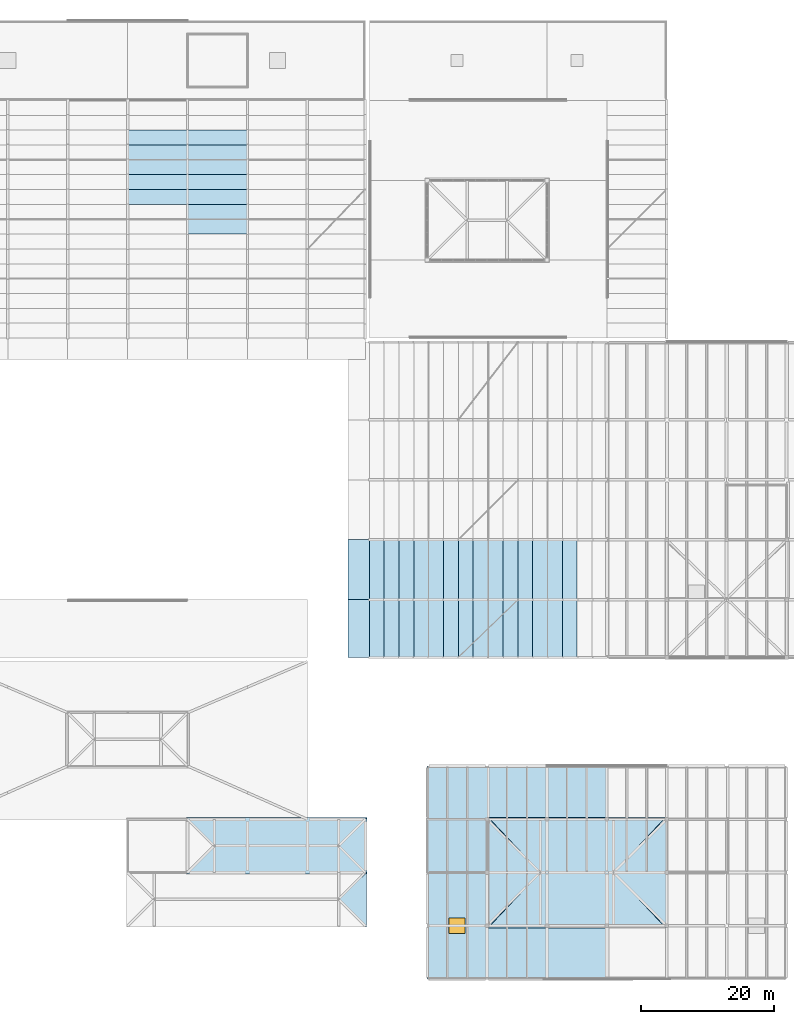
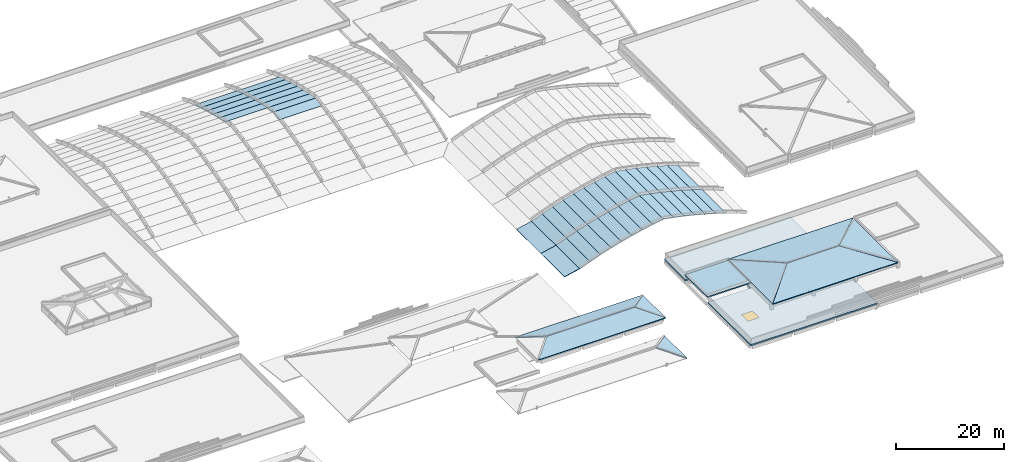
"""IFC4 building model written with IfcOpenShell, lengths in metres."""

from ifc_helpers import new_model, si_unit, direction, frame, origin, origin_2d, place, context, subcontext, project, spatial, polyline, rectangle, outline, extrude, material, layer, layer_set, type_object, element, fill, aggregate, save


model = new_model("IFC4")

# Units and contexts
model_context = context("Model", 3, precision=1e-05, world=origin(), true_north=direction((0.0, 1.0)))
body_context = subcontext(model_context, "Body", "Model", "MODEL_VIEW")
ifc_project = project(units=[si_unit("LENGTHUNIT", "METRE"), si_unit("AREAUNIT", "SQUARE_METRE"), si_unit("VOLUMEUNIT", "CUBIC_METRE"), si_unit("PLANEANGLEUNIT", "RADIAN"), si_unit("MASSUNIT", "GRAM", prefix="KILO")], contexts=[model_context])

# Site, building, storey
site_placement = place(None, origin())
site = spatial("IfcSite", under=ifc_project, at=site_placement, CompositionType="ELEMENT")
building_placement = place(site_placement, origin())
building = spatial("IfcBuilding", under=site, at=building_placement, Name="Zacnel Wholesale Market", CompositionType="ELEMENT")
storey_1_placement = place(building_placement, frame((0.0, 0.0, 20.300048828125)))
storey_1 = spatial("IfcBuildingStorey", under=building, at=storey_1_placement, Name="RF", CompositionType="ELEMENT", Elevation=20.300048828125)

# Slab
ifc_material_1 = material(Name="Precast concrete C45/55", Category="concrete")
ifc_layer_1 = layer(ifc_material_1, 0.239990234375)
ifc_layer_set_1 = layer_set([ifc_layer_1], Name="Precast concrete C45/55")
slab_type_1 = type_object("IfcSlabType", Name="SLB-CORE-RF240", PredefinedType="ROOF", material=ifc_layer_set_1)
slab_1_placement = place(storey_1_placement, frame((0.0, 0.0, 1.010009765625)))
element("IfcSlab", 1, at=slab_1_placement, inside=storey_1, type_object=slab_type_1, Name="Core C1 roof cap slab", PredefinedType="ROOF", context=body_context, shape_type="SweptSolid", body=[
    extrude(outline(polyline([(152.875, 15.875), (162.125, 15.875), (162.125, 24.125), (152.875, 24.125), (152.875, 15.875)])), origin(), (0.0, 0.0, 1.0), 0.239990234375),
])

# Roof, slab
ifc_material_2 = material(Name="Precast concrete C45/55", Category="concrete")
ifc_layer_2 = layer(ifc_material_2, 0.219970703125)
ifc_layer_set_2 = layer_set([ifc_layer_2], Name="Precast concrete C45/55")
roof_type_1 = type_object("IfcRoofType", Name="ROOF-PAVILION-COF", PredefinedType="PAVILION_ROOF", material=ifc_layer_set_2)
roof_1_placement = place(storey_1_placement, origin())
roof_1 = element("IfcRoof", 2, at=roof_1_placement, inside=storey_1, type_object=roof_type_1, Name="Hipped precast roof assembly STR-ROOF-V4E-SOUTH", PredefinedType="PAVILION_ROOF")
ifc_material_3 = material(Name="Precast concrete C45/55", Category="concrete")
ifc_layer_3 = layer(ifc_material_3, 0.260009765625)
ifc_layer_set_3 = layer_set([ifc_layer_3], Name="Precast concrete C45/55")
slab_type_2 = type_object("IfcSlabType", Name="SLB-ROOF-COF-260", PredefinedType="ROOF", material=ifc_layer_set_3)
slab_2_placement = place(storey_1_placement, frame((143.89990234375, 7.800048828125, -4.550048828125), z_axis=(0.295678837886, 0.0, 0.955287404306), x_axis=(0.0, 1.0, 0.0)))
slab_2 = element("IfcSlab", 3, at=slab_2_placement, type_object=slab_type_2, Name="Hipped roof facet STR-ROOF-V4E-SOUTH-E", PredefinedType="ROOF", context=body_context, shape_type="SweptSolid", body=[
    extrude(outline(polyline([(0.0, 0.0), (8.18994140625, 0.0), (4.199951171875, 4.339028770362384), (0.0, 0.0)])), origin(), (0.0, 0.0, -1.0), 0.219970703125),
])
aggregate(roof_1, [slab_2])

# Roof, slabs
roof_2_placement = place(storey_1_placement, origin())
roof_2 = element("IfcRoof", 4, at=roof_2_placement, inside=storey_1, type_object=roof_type_1, Name="Hipped precast roof assembly STR-ROOF-V4E-TOP", PredefinedType="PAVILION_ROOF")
slab_3_placement = place(storey_1_placement, frame((116.75, 15.75, -0.300048828125), z_axis=(0.0, -0.292505539311, 0.956263828382), x_axis=(1.0, 0.0, 0.0)))
slab_3 = element("IfcSlab", 5, at=slab_3_placement, type_object=slab_type_2, Name="Hipped roof facet STR-ROOF-V4E-TOP-S", PredefinedType="ROOF", context=body_context, shape_type="SweptSolid", body=[
    extrude(outline(polyline([(0.0, 0.0), (27.199951171875, 0.0), (23.0048828125, 4.386936151785095), (4.195068359375, 4.386936151785095), (0.0, 0.0)])), origin(), (0.0, 0.0, -1.0), 0.219970703125),
])
slab_4_placement = place(storey_1_placement, frame((143.949951171875, 24.25, -0.300048828125), z_axis=(0.0, 0.292505539311, 0.956263828382), x_axis=(-1.0, 0.0, 0.0)))
slab_4 = element("IfcSlab", 6, at=slab_4_placement, type_object=slab_type_2, Name="Hipped roof facet STR-ROOF-V4E-TOP-N", PredefinedType="ROOF", context=body_context, shape_type="SweptSolid", body=[
    extrude(outline(polyline([(0.0, 0.0), (27.199951171875, 0.0), (23.0048828125, 4.386936151785095), (4.195068359375, 4.386936151785095), (0.0, 0.0)])), origin(), (0.0, 0.0, -1.0), 0.219970703125),
])
slab_5_placement = place(storey_1_placement, frame((143.949951171875, 15.75, -0.300048828125), z_axis=(0.292505539311, 0.0, 0.956263828382), x_axis=(0.0, 1.0, 0.0)))
slab_5 = element("IfcSlab", 7, at=slab_5_placement, type_object=slab_type_2, Name="Hipped roof facet STR-ROOF-V4E-TOP-E", PredefinedType="ROOF", context=body_context, shape_type="SweptSolid", body=[
    extrude(outline(polyline([(0.0, 0.0), (8.5, 0.0), (4.25, 4.386936151785095), (0.0, 0.0)])), origin(), (0.0, 0.0, -1.0), 0.219970703125),
])
aggregate(roof_2, [slab_3, slab_4, slab_5])

# Roof, slab
ifc_material_4 = material(Name="Concrete C40/50", Category="concrete")
ifc_layer_4 = layer(ifc_material_4, 0.110107421875)
ifc_layer_set_4 = layer_set([ifc_layer_4], Name="Concrete C40/50")
roof_type_2 = type_object("IfcRoofType", Name="ROOF-BARREL-36M", PredefinedType="BARREL_ROOF", material=ifc_layer_set_4)
roof_3_placement = place(storey_1_placement, origin())
roof_3 = element("IfcRoof", 8, at=roof_3_placement, inside=storey_1, type_object=roof_type_2, Name="Parabolic barrel-shell roof V1E-01", PredefinedType="BARREL_ROOF")
ifc_material_5 = material(Name="Concrete C40/50", Category="concrete")
ifc_layer_5 = layer(ifc_material_5, 0.1298828125)
ifc_layer_set_5 = layer_set([ifc_layer_5], Name="Concrete C40/50")
slab_type_3 = type_object("IfcSlabType", Name="SLB-ROOF-EAVE-130", PredefinedType="ROOF", material=ifc_layer_set_5)
slab_6_placement = place(storey_1_placement, frame((141.10009765625, 48.300048828125, -9.800048828125), z_axis=(-0.213685764849, 0.0, 0.976902448508), x_axis=(0.0, 1.0, 0.0)))
slab_6 = element("IfcSlab", 9, at=slab_6_placement, type_object=slab_type_3, Name="Storm eave shell leaf V1E-01", PredefinedType="ROOF", context=body_context, shape_type="SweptSolid", body=[
    extrude(outline(polyline([(0.0, 0.0), (8.699951171875, 0.0), (8.699951171875, -3.275609736429749), (0.0, -3.275609736429749), (0.0, 0.0)])), origin(), (0.0, 0.0, -1.0), 0.1298828125),
])

roof_4_placement = place(storey_1_placement, origin())
roof_4 = element("IfcRoof", 10, at=roof_4_placement, inside=storey_1, type_object=roof_type_2, Name="Parabolic barrel-shell roof V1E-02", PredefinedType="BARREL_ROOF")
slab_7_placement = place(storey_1_placement, frame((141.10009765625, 57.0, -9.800048828125), z_axis=(-0.213685764849, 0.0, 0.976902448508), x_axis=(0.0, 1.0, 0.0)))
slab_7 = element("IfcSlab", 11, at=slab_7_placement, type_object=slab_type_3, Name="Storm eave shell leaf V1E-02", PredefinedType="ROOF", context=body_context, shape_type="SweptSolid", body=[
    extrude(outline(polyline([(0.0, 0.0), (9.0, 0.0), (9.0, -3.2756097364297494), (0.0, -3.2756097364297494), (0.0, 0.0)])), origin(), (0.0, 0.0, -1.0), 0.1298828125),
])

# Roof, slabs
roof_5_placement = place(storey_1_placement, origin())
roof_5 = element("IfcRoof", 12, at=roof_5_placement, inside=storey_1, type_object=roof_type_1, Name="Hipped precast roof assembly STR-ROOF-V5ZIG", PredefinedType="PAVILION_ROOF")
ifc_material_6 = material(Name="Precast concrete C45/55", Category="concrete")
ifc_layer_6 = layer(ifc_material_6, 0.219970703125)
ifc_layer_set_6 = layer_set([ifc_layer_6], Name="Precast concrete C45/55")
slab_type_4 = type_object("IfcSlabType", Name="SLB-ROOF-LAN-220", PredefinedType="ROOF", material=ifc_layer_set_6)
slab_8_placement = place(storey_1_placement, frame((162.139892578125, 7.699951171875, 1.349853515625), z_axis=(0.0, -0.17209447619, 0.985080449133), x_axis=(1.0, 0.0, 0.0)))
slab_8 = element("IfcSlab", 13, at=slab_8_placement, type_object=slab_type_4, Name="Hipped roof facet STR-ROOF-V5ZIG-S", PredefinedType="ROOF", context=body_context, shape_type="SweptSolid", body=[
    extrude(outline(polyline([(0.0, 0.0), (26.72021484375, 0.0), (18.9150390625, 8.369993734778973), (7.80517578125, 8.369993734778973), (0.0, 0.0)])), origin(), (0.0, 0.0, -1.0), 0.219970703125),
])
slab_9_placement = place(storey_1_placement, frame((188.860107421875, 24.300048828125, 1.349853515625), z_axis=(0.0, 0.17209447619, 0.985080449133), x_axis=(-1.0, 0.0, 0.0)))
slab_9 = element("IfcSlab", 14, at=slab_9_placement, type_object=slab_type_4, Name="Hipped roof facet STR-ROOF-V5ZIG-N", PredefinedType="ROOF", context=body_context, shape_type="SweptSolid", body=[
    extrude(outline(polyline([(0.0, 0.0), (26.72021484375, 0.0), (18.9150390625, 8.369993734778973), (7.80517578125, 8.369993734778973), (0.0, 0.0)])), origin(), (0.0, 0.0, -1.0), 0.219970703125),
])
slab_10_placement = place(storey_1_placement, frame((162.139892578125, 24.300048828125, 1.349853515625), z_axis=(-0.181423916047, 0.0, 0.983404984066), x_axis=(0.0, -1.0, 0.0)))
slab_10 = element("IfcSlab", 15, at=slab_10_placement, type_object=slab_type_4, Name="Hipped roof facet STR-ROOF-V5ZIG-W", PredefinedType="ROOF", context=body_context, shape_type="SweptSolid", body=[
    extrude(outline(polyline([(0.0, 0.0), (16.60009765625, 0.0), (8.300048828125, 7.936888573593861), (0.0, 0.0)])), origin(), (0.0, 0.0, -1.0), 0.219970703125),
])
slab_11_placement = place(storey_1_placement, frame((188.860107421875, 7.699951171875, 1.349853515625), z_axis=(0.181423916047, 0.0, 0.983404984066), x_axis=(0.0, 1.0, 0.0)))
slab_11 = element("IfcSlab", 16, at=slab_11_placement, type_object=slab_type_4, Name="Hipped roof facet STR-ROOF-V5ZIG-E", PredefinedType="ROOF", context=body_context, shape_type="SweptSolid", body=[
    extrude(outline(polyline([(0.0, 0.0), (16.60009765625, 0.0), (8.300048828125, 7.936888573593861), (0.0, 0.0)])), origin(), (0.0, 0.0, -1.0), 0.219970703125),
])
aggregate(roof_5, [slab_8, slab_9, slab_10, slab_11])

roof_6_placement = place(storey_1_placement, origin())
roof_6 = element("IfcRoof", 17, at=roof_6_placement, inside=storey_1, type_object=roof_type_2, Name="Parabolic barrel-shell roof V1N-W-05", PredefinedType="BARREL_ROOF")
ifc_material_7 = material(Name="Concrete C40/50", Category="concrete")
ifc_layer_7 = layer(ifc_material_7, 0.110107421875)
ifc_layer_set_7 = layer_set([ifc_layer_7], Name="Concrete C40/50")
slab_type_5 = type_object("IfcSlabType", Name="SLB-ROOF-SHELL-110", PredefinedType="ROOF", material=ifc_layer_set_7)
slab_12_placement = place(storey_1_placement, frame((108.0, 116.381103515625, -4.5), z_axis=(0.0, 0.201882701177, 0.979409707408), x_axis=(1.0, 0.0, 0.0)))
slab_12 = element("IfcSlab", 18, at=slab_12_placement, type_object=slab_type_5, Name="Barrel-shell facet V1N-W-05-F10", PredefinedType="ROOF", context=body_context, shape_type="SweptSolid", body=[
    extrude(outline(polyline([(0.0, 0.0), (9.0, 0.0), (9.0, 2.2783573571115006), (0.0, 2.2783573571115006), (0.0, 0.0)])), origin(), (0.0, 0.0, -1.0), 0.110107421875),
])
slab_13_placement = place(storey_1_placement, frame((108.0, 118.612548828125, -4.9599609375), z_axis=(0.0, 0.226983688872, 0.973898559906), x_axis=(1.0, 0.0, 0.0)))
slab_13 = element("IfcSlab", 19, at=slab_13_placement, type_object=slab_type_5, Name="Barrel-shell facet V1N-W-05-F11", PredefinedType="ROOF", context=body_context, shape_type="SweptSolid", body=[
    extrude(outline(polyline([(0.0, 0.0), (9.0, 0.0), (9.0, 2.2909995596371995), (0.0, 2.2909995596371995), (0.0, 0.0)])), origin(), (0.0, 0.0, -1.0), 0.110107421875),
])
slab_14_placement = place(storey_1_placement, frame((108.0, 120.84375, -5.47998046875), z_axis=(0.0, 0.251619964429, 0.967826117389), x_axis=(1.0, 0.0, 0.0)))
slab_14 = element("IfcSlab", 20, at=slab_14_placement, type_object=slab_type_5, Name="Barrel-shell facet V1N-W-05-F12", PredefinedType="ROOF", context=body_context, shape_type="SweptSolid", body=[
    extrude(outline(polyline([(0.0, 0.0), (9.0, 0.0), (9.0, 2.305374004468665), (0.0, 2.305374004468665), (0.0, 0.0)])), origin(), (0.0, 0.0, -1.0), 0.110107421875),
])
slab_15_placement = place(storey_1_placement, frame((108.0, 123.074951171875, -6.06005859375), z_axis=(0.0, 0.275651658171, 0.961257594689), x_axis=(1.0, 0.0, 0.0)))
slab_15 = element("IfcSlab", 21, at=slab_15_placement, type_object=slab_type_5, Name="Barrel-shell facet V1N-W-05-F13", PredefinedType="ROOF", context=body_context, shape_type="SweptSolid", body=[
    extrude(outline(polyline([(0.0, 0.0), (9.0, 0.0), (9.0, 2.3213812039856103), (0.0, 2.3213812039856103), (0.0, 0.0)])), origin(), (0.0, 0.0, -1.0), 0.110107421875),
])
slab_16_placement = place(storey_1_placement, frame((108.0, 125.306396484375, -6.699951171875), z_axis=(0.0, 0.307185321823, 0.951649713947), x_axis=(1.0, 0.0, 0.0)))
slab_16 = element("IfcSlab", 22, at=slab_16_placement, type_object=slab_type_5, Name="Barrel-shell facet V1N-W-05-F14", PredefinedType="ROOF", context=body_context, shape_type="SweptSolid", body=[
    extrude(outline(polyline([(0.0, 0.0), (9.0, 0.0), (9.0, 2.3445613855333813), (0.0, 2.3445613855333813), (0.0, 0.0)])), origin(), (0.0, 0.0, -1.0), 0.110107421875),
])
aggregate(roof_6, [slab_12, slab_13, slab_14, slab_15, slab_16])

roof_7_placement = place(storey_1_placement, origin())
roof_7 = element("IfcRoof", 23, at=roof_7_placement, inside=storey_1, type_object=roof_type_2, Name="Parabolic barrel-shell roof V1N-W-06", PredefinedType="BARREL_ROOF")
slab_17_placement = place(storey_1_placement, frame((117.0, 111.918701171875, -4.5), z_axis=(0.0, -0.176420589484, 0.984314876249), x_axis=(1.0, 0.0, 0.0)))
slab_17 = element("IfcSlab", 24, at=slab_17_placement, type_object=slab_type_5, Name="Barrel-shell facet V1N-W-06-F08", PredefinedType="ROOF", context=body_context, shape_type="SweptSolid", body=[
    extrude(outline(polyline([(0.0, 0.0), (9.0, 0.0), (9.0, 2.266755512602344), (0.0, 2.266755512602344), (0.0, 0.0)])), origin(), (0.0, 0.0, -1.0), 0.110107421875),
])
slab_18_placement = place(storey_1_placement, frame((117.0, 114.14990234375, -4.10009765625), z_axis=(0.0, 0.176420589484, 0.984314876249), x_axis=(1.0, 0.0, 0.0)))
slab_18 = element("IfcSlab", 25, at=slab_18_placement, type_object=slab_type_5, Name="Barrel-shell facet V1N-W-06-F09", PredefinedType="ROOF", context=body_context, shape_type="SweptSolid", body=[
    extrude(outline(polyline([(0.0, 0.0), (9.0, 0.0), (9.0, 2.266755512602344), (0.0, 2.266755512602344), (0.0, 0.0)])), origin(), (0.0, 0.0, -1.0), 0.110107421875),
])
slab_19_placement = place(storey_1_placement, frame((117.0, 116.381103515625, -4.5), z_axis=(0.0, 0.201882701177, 0.979409707408), x_axis=(1.0, 0.0, 0.0)))
slab_19 = element("IfcSlab", 26, at=slab_19_placement, type_object=slab_type_5, Name="Barrel-shell facet V1N-W-06-F10", PredefinedType="ROOF", context=body_context, shape_type="SweptSolid", body=[
    extrude(outline(polyline([(0.0, 0.0), (9.0, 0.0), (9.0, 2.2783573571115006), (0.0, 2.2783573571115006), (0.0, 0.0)])), origin(), (0.0, 0.0, -1.0), 0.110107421875),
])
slab_20_placement = place(storey_1_placement, frame((117.0, 118.612548828125, -4.9599609375), z_axis=(0.0, 0.226983688872, 0.973898559906), x_axis=(1.0, 0.0, 0.0)))
slab_20 = element("IfcSlab", 27, at=slab_20_placement, type_object=slab_type_5, Name="Barrel-shell facet V1N-W-06-F11", PredefinedType="ROOF", context=body_context, shape_type="SweptSolid", body=[
    extrude(outline(polyline([(0.0, 0.0), (9.0, 0.0), (9.0, 2.2909995596371995), (0.0, 2.2909995596371995), (0.0, 0.0)])), origin(), (0.0, 0.0, -1.0), 0.110107421875),
])
slab_21_placement = place(storey_1_placement, frame((117.0, 120.84375, -5.47998046875), z_axis=(0.0, 0.251619964429, 0.967826117389), x_axis=(1.0, 0.0, 0.0)))
slab_21 = element("IfcSlab", 28, at=slab_21_placement, type_object=slab_type_5, Name="Barrel-shell facet V1N-W-06-F12", PredefinedType="ROOF", context=body_context, shape_type="SweptSolid", body=[
    extrude(outline(polyline([(0.0, 0.0), (9.0, 0.0), (9.0, 2.305374004468665), (0.0, 2.305374004468665), (0.0, 0.0)])), origin(), (0.0, 0.0, -1.0), 0.110107421875),
])
slab_22_placement = place(storey_1_placement, frame((117.0, 123.074951171875, -6.06005859375), z_axis=(0.0, 0.275651658171, 0.961257594689), x_axis=(1.0, 0.0, 0.0)))
slab_22 = element("IfcSlab", 29, at=slab_22_placement, type_object=slab_type_5, Name="Barrel-shell facet V1N-W-06-F13", PredefinedType="ROOF", context=body_context, shape_type="SweptSolid", body=[
    extrude(outline(polyline([(0.0, 0.0), (9.0, 0.0), (9.0, 2.3213812039856103), (0.0, 2.3213812039856103), (0.0, 0.0)])), origin(), (0.0, 0.0, -1.0), 0.110107421875),
])
slab_23_placement = place(storey_1_placement, frame((117.0, 125.306396484375, -6.699951171875), z_axis=(0.0, 0.307185321823, 0.951649713947), x_axis=(1.0, 0.0, 0.0)))
slab_23 = element("IfcSlab", 30, at=slab_23_placement, type_object=slab_type_5, Name="Barrel-shell facet V1N-W-06-F14", PredefinedType="ROOF", context=body_context, shape_type="SweptSolid", body=[
    extrude(outline(polyline([(0.0, 0.0), (9.0, 0.0), (9.0, 2.3445613855333813), (0.0, 2.3445613855333813), (0.0, 0.0)])), origin(), (0.0, 0.0, -1.0), 0.110107421875),
])
aggregate(roof_7, [slab_17, slab_18, slab_19, slab_20, slab_21, slab_22, slab_23])

# Slab
slab_24_placement = place(storey_1_placement, frame((144.300048828125, 48.300048828125, -9.10009765625), z_axis=(-0.366946359501, 0.0, 0.930242102492), x_axis=(0.0, 1.0, 0.0)))
slab_24 = element("IfcSlab", 31, at=slab_24_placement, type_object=slab_type_5, Name="Barrel-shell facet V1E-01-F01", PredefinedType="ROOF", context=body_context, shape_type="SweptSolid", body=[
    extrude(outline(polyline([(0.0, 0.0), (8.699951171875, 0.0), (8.699951171875, -2.3985166505558118), (0.0, -2.3985166505558118), (0.0, 0.0)])), origin(), (0.0, 0.0, -1.0), 0.110107421875),
])

slab_25_placement = place(storey_1_placement, frame((146.53125, 48.300048828125, -8.219970703125), z_axis=(-0.337438907944, 0.0, 0.941347429701), x_axis=(0.0, 1.0, 0.0)))
slab_25 = element("IfcSlab", 32, at=slab_25_placement, type_object=slab_type_5, Name="Barrel-shell facet V1E-01-F02", PredefinedType="ROOF", context=body_context, shape_type="SweptSolid", body=[
    extrude(outline(polyline([(0.0, 0.0), (8.699951171875, 0.0), (8.699951171875, -2.370220708609927), (0.0, -2.370220708609927), (0.0, 0.0)])), origin(), (0.0, 0.0, -1.0), 0.110107421875),
])

slab_26_placement = place(storey_1_placement, frame((148.762451171875, 48.300048828125, -7.420166015625), z_axis=(-0.307154883885, 0.0, 0.951659538546), x_axis=(0.0, 1.0, 0.0)))
slab_26 = element("IfcSlab", 33, at=slab_26_placement, type_object=slab_type_5, Name="Barrel-shell facet V1E-01-F03", PredefinedType="ROOF", context=body_context, shape_type="SweptSolid", body=[
    extrude(outline(polyline([(0.0, 0.0), (8.699951171875, 0.0), (8.699951171875, -2.344793723088677), (0.0, -2.344793723088677), (0.0, 0.0)])), origin(), (0.0, 0.0, -1.0), 0.110107421875),
])

slab_27_placement = place(storey_1_placement, frame((150.993896484375, 48.300048828125, -6.699951171875), z_axis=(-0.275679528114, 0.0, 0.961249602226), x_axis=(0.0, 1.0, 0.0)))
slab_27 = element("IfcSlab", 34, at=slab_27_placement, type_object=slab_type_5, Name="Barrel-shell facet V1E-01-F04", PredefinedType="ROOF", context=body_context, shape_type="SweptSolid", body=[
    extrude(outline(polyline([(0.0, 0.0), (8.699951171875, 0.0), (8.699951171875, -2.3211465229312505), (0.0, -2.3211465229312505), (0.0, 0.0)])), origin(), (0.0, 0.0, -1.0), 0.110107421875),
])

slab_28_placement = place(storey_1_placement, frame((153.22509765625, 48.300048828125, -6.06005859375), z_axis=(-0.251619964429, 0.0, 0.967826117389), x_axis=(0.0, 1.0, 0.0)))
slab_28 = element("IfcSlab", 35, at=slab_28_placement, type_object=slab_type_5, Name="Barrel-shell facet V1E-01-F05", PredefinedType="ROOF", context=body_context, shape_type="SweptSolid", body=[
    extrude(outline(polyline([(0.0, 0.0), (8.699951171875, 0.0), (8.699951171875, -2.3053740044686655), (0.0, -2.3053740044686655), (0.0, 0.0)])), origin(), (0.0, 0.0, -1.0), 0.110107421875),
])

slab_29_placement = place(storey_1_placement, frame((155.456298828125, 48.300048828125, -5.47998046875), z_axis=(-0.226983688872, 0.0, 0.973898559906), x_axis=(0.0, 1.0, 0.0)))
slab_29 = element("IfcSlab", 36, at=slab_29_placement, type_object=slab_type_5, Name="Barrel-shell facet V1E-01-F06", PredefinedType="ROOF", context=body_context, shape_type="SweptSolid", body=[
    extrude(outline(polyline([(0.0, 0.0), (8.699951171875, 0.0), (8.699951171875, -2.2909995596371995), (0.0, -2.2909995596371995), (0.0, 0.0)])), origin(), (0.0, 0.0, -1.0), 0.110107421875),
])

slab_30_placement = place(storey_1_placement, frame((157.6875, 48.300048828125, -4.9599609375), z_axis=(-0.201903890951, 0.0, 0.979405339386), x_axis=(0.0, 1.0, 0.0)))
slab_30 = element("IfcSlab", 37, at=slab_30_placement, type_object=slab_type_5, Name="Barrel-shell facet V1E-01-F07", PredefinedType="ROOF", context=body_context, shape_type="SweptSolid", body=[
    extrude(outline(polyline([(0.0, 0.0), (8.699951171875, 0.0), (8.699951171875, -2.2781182439465804), (0.0, -2.2781182439465804), (0.0, 0.0)])), origin(), (0.0, 0.0, -1.0), 0.110107421875),
])

slab_31_placement = place(storey_1_placement, frame((159.918701171875, 48.300048828125, -4.5), z_axis=(-0.176420589484, 0.0, 0.984314876249), x_axis=(0.0, 1.0, 0.0)))
slab_31 = element("IfcSlab", 38, at=slab_31_placement, type_object=slab_type_5, Name="Barrel-shell facet V1E-01-F08", PredefinedType="ROOF", context=body_context, shape_type="SweptSolid", body=[
    extrude(outline(polyline([(0.0, 0.0), (8.699951171875, 0.0), (8.699951171875, -2.266755512602344), (0.0, -2.266755512602344), (0.0, 0.0)])), origin(), (0.0, 0.0, -1.0), 0.110107421875),
])

slab_32_placement = place(storey_1_placement, frame((162.14990234375, 48.300048828125, -4.10009765625), z_axis=(0.176420589484, 0.0, 0.984314876249), x_axis=(0.0, 1.0, 0.0)))
slab_32 = element("IfcSlab", 39, at=slab_32_placement, type_object=slab_type_5, Name="Barrel-shell facet V1E-01-F09", PredefinedType="ROOF", context=body_context, shape_type="SweptSolid", body=[
    extrude(outline(polyline([(0.0, 0.0), (8.699951171875, 0.0), (8.699951171875, -2.266755512602344), (0.0, -2.266755512602344), (0.0, 0.0)])), origin(), (0.0, 0.0, -1.0), 0.110107421875),
])

slab_33_placement = place(storey_1_placement, frame((164.381103515625, 48.300048828125, -4.5), z_axis=(0.201882701177, 0.0, 0.979409707408), x_axis=(0.0, 1.0, 0.0)))
slab_33 = element("IfcSlab", 40, at=slab_33_placement, type_object=slab_type_5, Name="Barrel-shell facet V1E-01-F10", PredefinedType="ROOF", context=body_context, shape_type="SweptSolid", body=[
    extrude(outline(polyline([(0.0, 0.0), (8.699951171875, 0.0), (8.699951171875, -2.2783573571115006), (0.0, -2.2783573571115006), (0.0, 0.0)])), origin(), (0.0, 0.0, -1.0), 0.110107421875),
])

slab_34_placement = place(storey_1_placement, frame((166.612548828125, 48.300048828125, -4.9599609375), z_axis=(0.226983688872, 0.0, 0.973898559906), x_axis=(0.0, 1.0, 0.0)))
slab_34 = element("IfcSlab", 41, at=slab_34_placement, type_object=slab_type_5, Name="Barrel-shell facet V1E-01-F11", PredefinedType="ROOF", context=body_context, shape_type="SweptSolid", body=[
    extrude(outline(polyline([(0.0, 0.0), (8.699951171875, 0.0), (8.699951171875, -2.2909995596371995), (0.0, -2.2909995596371995), (0.0, 0.0)])), origin(), (0.0, 0.0, -1.0), 0.110107421875),
])

slab_35_placement = place(storey_1_placement, frame((168.84375, 48.300048828125, -5.47998046875), z_axis=(0.251619964429, 0.0, 0.967826117389), x_axis=(0.0, 1.0, 0.0)))
slab_35 = element("IfcSlab", 42, at=slab_35_placement, type_object=slab_type_5, Name="Barrel-shell facet V1E-01-F12", PredefinedType="ROOF", context=body_context, shape_type="SweptSolid", body=[
    extrude(outline(polyline([(0.0, 0.0), (8.699951171875, 0.0), (8.699951171875, -2.3053740044686655), (0.0, -2.3053740044686655), (0.0, 0.0)])), origin(), (0.0, 0.0, -1.0), 0.110107421875),
])

slab_36_placement = place(storey_1_placement, frame((171.074951171875, 48.300048828125, -6.06005859375), z_axis=(0.275651658171, 0.0, 0.961257594689), x_axis=(0.0, 1.0, 0.0)))
slab_36 = element("IfcSlab", 43, at=slab_36_placement, type_object=slab_type_5, Name="Barrel-shell facet V1E-01-F13", PredefinedType="ROOF", context=body_context, shape_type="SweptSolid", body=[
    extrude(outline(polyline([(0.0, 0.0), (8.699951171875, 0.0), (8.699951171875, -2.3213812039856103), (0.0, -2.3213812039856103), (0.0, 0.0)])), origin(), (0.0, 0.0, -1.0), 0.110107421875),
])

slab_37_placement = place(storey_1_placement, frame((173.306396484375, 48.300048828125, -6.699951171875), z_axis=(0.307185321823, 0.0, 0.951649713947), x_axis=(0.0, 1.0, 0.0)))
slab_37 = element("IfcSlab", 44, at=slab_37_placement, type_object=slab_type_5, Name="Barrel-shell facet V1E-01-F14", PredefinedType="ROOF", context=body_context, shape_type="SweptSolid", body=[
    extrude(outline(polyline([(0.0, 0.0), (8.699951171875, 0.0), (8.699951171875, -2.344561385533382), (0.0, -2.344561385533382), (0.0, 0.0)])), origin(), (0.0, 0.0, -1.0), 0.110107421875),
])

aggregate(roof_3, [slab_24, slab_25, slab_26, slab_27, slab_28, slab_29, slab_30, slab_31, slab_32, slab_33, slab_34, slab_35, slab_36, slab_37, slab_6])

slab_38_placement = place(storey_1_placement, frame((144.300048828125, 57.0, -9.10009765625), z_axis=(-0.366946359501, 0.0, 0.930242102492), x_axis=(0.0, 1.0, 0.0)))
slab_38 = element("IfcSlab", 45, at=slab_38_placement, type_object=slab_type_5, Name="Barrel-shell facet V1E-02-F01", PredefinedType="ROOF", context=body_context, shape_type="SweptSolid", body=[
    extrude(outline(polyline([(0.0, 0.0), (9.0, 0.0), (9.0, -2.3985166505558118), (0.0, -2.3985166505558118), (0.0, 0.0)])), origin(), (0.0, 0.0, -1.0), 0.110107421875),
])

slab_39_placement = place(storey_1_placement, frame((146.53125, 57.0, -8.219970703125), z_axis=(-0.337438907944, 0.0, 0.941347429701), x_axis=(0.0, 1.0, 0.0)))
slab_39 = element("IfcSlab", 46, at=slab_39_placement, type_object=slab_type_5, Name="Barrel-shell facet V1E-02-F02", PredefinedType="ROOF", context=body_context, shape_type="SweptSolid", body=[
    extrude(outline(polyline([(0.0, 0.0), (9.0, 0.0), (9.0, -2.370220708609927), (0.0, -2.370220708609927), (0.0, 0.0)])), origin(), (0.0, 0.0, -1.0), 0.110107421875),
])

slab_40_placement = place(storey_1_placement, frame((148.762451171875, 57.0, -7.420166015625), z_axis=(-0.307154883885, 0.0, 0.951659538546), x_axis=(0.0, 1.0, 0.0)))
slab_40 = element("IfcSlab", 47, at=slab_40_placement, type_object=slab_type_5, Name="Barrel-shell facet V1E-02-F03", PredefinedType="ROOF", context=body_context, shape_type="SweptSolid", body=[
    extrude(outline(polyline([(0.0, 0.0), (9.0, 0.0), (9.0, -2.344793723088677), (0.0, -2.344793723088677), (0.0, 0.0)])), origin(), (0.0, 0.0, -1.0), 0.110107421875),
])

slab_41_placement = place(storey_1_placement, frame((150.993896484375, 57.0, -6.699951171875), z_axis=(-0.275679528114, 0.0, 0.961249602226), x_axis=(0.0, 1.0, 0.0)))
slab_41 = element("IfcSlab", 48, at=slab_41_placement, type_object=slab_type_5, Name="Barrel-shell facet V1E-02-F04", PredefinedType="ROOF", context=body_context, shape_type="SweptSolid", body=[
    extrude(outline(polyline([(0.0, 0.0), (9.0, 0.0), (9.0, -2.3211465229312505), (0.0, -2.3211465229312505), (0.0, 0.0)])), origin(), (0.0, 0.0, -1.0), 0.110107421875),
])

slab_42_placement = place(storey_1_placement, frame((153.22509765625, 57.0, -6.06005859375), z_axis=(-0.251619964429, 0.0, 0.967826117389), x_axis=(0.0, 1.0, 0.0)))
slab_42 = element("IfcSlab", 49, at=slab_42_placement, type_object=slab_type_5, Name="Barrel-shell facet V1E-02-F05", PredefinedType="ROOF", context=body_context, shape_type="SweptSolid", body=[
    extrude(outline(polyline([(0.0, 0.0), (9.0, 0.0), (9.0, -2.305374004468665), (0.0, -2.305374004468665), (0.0, 0.0)])), origin(), (0.0, 0.0, -1.0), 0.110107421875),
])

slab_43_placement = place(storey_1_placement, frame((155.456298828125, 57.0, -5.47998046875), z_axis=(-0.226983688872, 0.0, 0.973898559906), x_axis=(0.0, 1.0, 0.0)))
slab_43 = element("IfcSlab", 50, at=slab_43_placement, type_object=slab_type_5, Name="Barrel-shell facet V1E-02-F06", PredefinedType="ROOF", context=body_context, shape_type="SweptSolid", body=[
    extrude(outline(polyline([(0.0, 0.0), (9.0, 0.0), (9.0, -2.2909995596371995), (0.0, -2.2909995596371995), (0.0, 0.0)])), origin(), (0.0, 0.0, -1.0), 0.110107421875),
])

slab_44_placement = place(storey_1_placement, frame((157.6875, 57.0, -4.9599609375), z_axis=(-0.201903890951, 0.0, 0.979405339386), x_axis=(0.0, 1.0, 0.0)))
slab_44 = element("IfcSlab", 51, at=slab_44_placement, type_object=slab_type_5, Name="Barrel-shell facet V1E-02-F07", PredefinedType="ROOF", context=body_context, shape_type="SweptSolid", body=[
    extrude(outline(polyline([(0.0, 0.0), (9.0, 0.0), (9.0, -2.2781182439465804), (0.0, -2.2781182439465804), (0.0, 0.0)])), origin(), (0.0, 0.0, -1.0), 0.110107421875),
])

slab_45_placement = place(storey_1_placement, frame((159.918701171875, 57.0, -4.5), z_axis=(-0.176420589484, 0.0, 0.984314876249), x_axis=(0.0, 1.0, 0.0)))
slab_45 = element("IfcSlab", 52, at=slab_45_placement, type_object=slab_type_5, Name="Barrel-shell facet V1E-02-F08", PredefinedType="ROOF", context=body_context, shape_type="SweptSolid", body=[
    extrude(outline(polyline([(0.0, 0.0), (9.0, 0.0), (9.0, -2.266755512602344), (0.0, -2.266755512602344), (0.0, 0.0)])), origin(), (0.0, 0.0, -1.0), 0.110107421875),
])

slab_46_placement = place(storey_1_placement, frame((162.14990234375, 57.0, -4.10009765625), z_axis=(0.176420589484, 0.0, 0.984314876249), x_axis=(0.0, 1.0, 0.0)))
slab_46 = element("IfcSlab", 53, at=slab_46_placement, type_object=slab_type_5, Name="Barrel-shell facet V1E-02-F09", PredefinedType="ROOF", context=body_context, shape_type="SweptSolid", body=[
    extrude(outline(polyline([(0.0, 0.0), (9.0, 0.0), (9.0, -2.266755512602344), (0.0, -2.266755512602344), (0.0, 0.0)])), origin(), (0.0, 0.0, -1.0), 0.110107421875),
])

slab_47_placement = place(storey_1_placement, frame((164.381103515625, 57.0, -4.5), z_axis=(0.201882701177, 0.0, 0.979409707408), x_axis=(0.0, 1.0, 0.0)))
slab_47 = element("IfcSlab", 54, at=slab_47_placement, type_object=slab_type_5, Name="Barrel-shell facet V1E-02-F10", PredefinedType="ROOF", context=body_context, shape_type="SweptSolid", body=[
    extrude(outline(polyline([(0.0, 0.0), (9.0, 0.0), (9.0, -2.2783573571115006), (0.0, -2.2783573571115006), (0.0, 0.0)])), origin(), (0.0, 0.0, -1.0), 0.110107421875),
])

slab_48_placement = place(storey_1_placement, frame((166.612548828125, 57.0, -4.9599609375), z_axis=(0.226983688872, 0.0, 0.973898559906), x_axis=(0.0, 1.0, 0.0)))
slab_48 = element("IfcSlab", 55, at=slab_48_placement, type_object=slab_type_5, Name="Barrel-shell facet V1E-02-F11", PredefinedType="ROOF", context=body_context, shape_type="SweptSolid", body=[
    extrude(outline(polyline([(0.0, 0.0), (9.0, 0.0), (9.0, -2.2909995596371995), (0.0, -2.2909995596371995), (0.0, 0.0)])), origin(), (0.0, 0.0, -1.0), 0.110107421875),
])

slab_49_placement = place(storey_1_placement, frame((168.84375, 57.0, -5.47998046875), z_axis=(0.251619964429, 0.0, 0.967826117389), x_axis=(0.0, 1.0, 0.0)))
slab_49 = element("IfcSlab", 56, at=slab_49_placement, type_object=slab_type_5, Name="Barrel-shell facet V1E-02-F12", PredefinedType="ROOF", context=body_context, shape_type="SweptSolid", body=[
    extrude(outline(polyline([(0.0, 0.0), (9.0, 0.0), (9.0, -2.305374004468665), (0.0, -2.305374004468665), (0.0, 0.0)])), origin(), (0.0, 0.0, -1.0), 0.110107421875),
])

slab_50_placement = place(storey_1_placement, frame((171.074951171875, 57.0, -6.06005859375), z_axis=(0.275651658171, 0.0, 0.961257594689), x_axis=(0.0, 1.0, 0.0)))
slab_50 = element("IfcSlab", 57, at=slab_50_placement, type_object=slab_type_5, Name="Barrel-shell facet V1E-02-F13", PredefinedType="ROOF", context=body_context, shape_type="SweptSolid", body=[
    extrude(outline(polyline([(0.0, 0.0), (9.0, 0.0), (9.0, -2.3213812039856103), (0.0, -2.3213812039856103), (0.0, 0.0)])), origin(), (0.0, 0.0, -1.0), 0.110107421875),
])

slab_51_placement = place(storey_1_placement, frame((173.306396484375, 57.0, -6.699951171875), z_axis=(0.307185321823, 0.0, 0.951649713947), x_axis=(0.0, 1.0, 0.0)))
slab_51 = element("IfcSlab", 58, at=slab_51_placement, type_object=slab_type_5, Name="Barrel-shell facet V1E-02-F14", PredefinedType="ROOF", context=body_context, shape_type="SweptSolid", body=[
    extrude(outline(polyline([(0.0, 0.0), (9.0, 0.0), (9.0, -2.3445613855333813), (0.0, -2.3445613855333813), (0.0, 0.0)])), origin(), (0.0, 0.0, -1.0), 0.110107421875),
])

aggregate(roof_4, [slab_38, slab_39, slab_40, slab_41, slab_42, slab_43, slab_44, slab_45, slab_46, slab_47, slab_48, slab_49, slab_50, slab_51, slab_7])

# Roof, slab, opening
ifc_material_8 = material(Name="Precast concrete C45/55", Category="concrete")
ifc_layer_8 = layer(ifc_material_8, 0.280029296875)
ifc_layer_set_8 = layer_set([ifc_layer_8], Name="Precast concrete C45/55")
roof_type_3 = type_object("IfcRoofType", Name="ROOF-FLAT-PRECAST", PredefinedType="FLAT_ROOF", material=ifc_layer_set_8)
roof_8_placement = place(storey_1_placement, origin())
roof_8 = element("IfcRoof", 59, at=roof_8_placement, inside=storey_1, type_object=roof_type_3, Name="Precast roof assembly STR-ROOF-V5-ZIG", PredefinedType="FLAT_ROOF")
ifc_material_9 = material(Name="Precast concrete C45/55", Category="concrete")
ifc_layer_9 = layer(ifc_material_9, 0.300048828125)
ifc_layer_set_9 = layer_set([ifc_layer_9], Name="Precast concrete C45/55")
slab_type_6 = type_object("IfcSlabType", Name="SLB-ROOF-ZIG-300", PredefinedType="ROOF", material=ifc_layer_set_9)
slab_52_placement = place(storey_1_placement, frame((0.0, 0.0, -0.300048828125)))
slab_52 = element("IfcSlab", 60, at=slab_52_placement, type_object=slab_type_6, Name="Precast roof slab STR-ROOF-V5-ZIG/SLB1", PredefinedType="ROOF", context=body_context, shape_type="SweptSolid", body=[
    extrude(outline(polyline([(153.0, 0.0), (153.0, 15.8701171875), (162.1298828125, 15.8701171875), (162.1298828125, 24.1298828125), (153.0, 24.1298828125), (153.0, 32.0), (180.0, 32.0), (180.0, 0.0), (153.0, 0.0)])), origin(), (0.0, 0.0, 1.0), 0.300048828125),
])
opening_placement = place(slab_52_placement, frame((157.5, 8.0, 0.0)))
opening = element("IfcOpeningElement", 61, at=opening_placement, cuts=slab_52, Name="Opening SK-01", PredefinedType="OPENING", context=body_context, shape_type="SweptSolid", body=[
    extrude(rectangle(XDim=2.39990234375, YDim=2.39990234375, at=origin_2d()), frame((0.0, 0.0, -0.010009765625)), (0.0, 0.0, 1.0), 0.320068359375),
])

# Storey
storey_2_placement = place(building_placement, frame((0.0, 0.0, 15.75)))
storey_2 = spatial("IfcBuildingStorey", under=building, at=storey_2_placement, Name="L04", CompositionType="ELEMENT", Elevation=15.75)

# Window
ifc_material_10 = material(Name="Laminated hurricane-impact low-E insulated glass", Category="glass")
window_type = type_object("IfcWindowType", Name="WIN-SKY-2400X2400", PartitioningType="SINGLE_PANEL", PredefinedType="SKYLIGHT", material=ifc_material_10)
window_placement = place(opening_placement, frame((0.0, 0.0, 0.25)))
window = element("IfcWindow", 62, at=window_placement, inside=storey_2, type_object=window_type, Name="Hurricane roof skylight 06", OverallHeight=2.39990234375, OverallWidth=2.39990234375, PartitioningType="SINGLE_PANEL", PredefinedType="SKYLIGHT", context=body_context, shape_type="SweptSolid", body=[
    extrude(rectangle(XDim=2.39990234375, YDim=2.39990234375, at=origin_2d()), origin(), (0.0, 0.0, 1.0), 0.050048828125),
])

fill(opening, window)

aggregate(roof_8, [slab_52])

save(model, "model.ifc")
